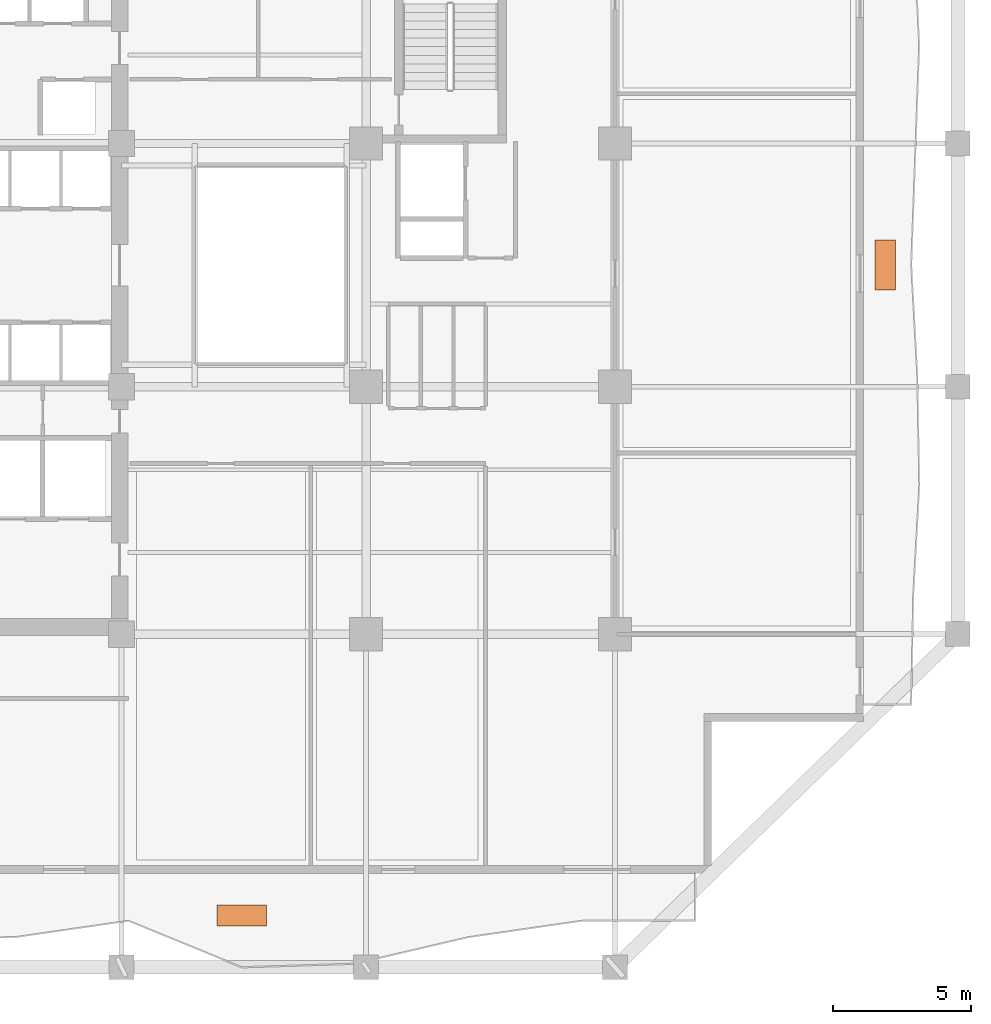
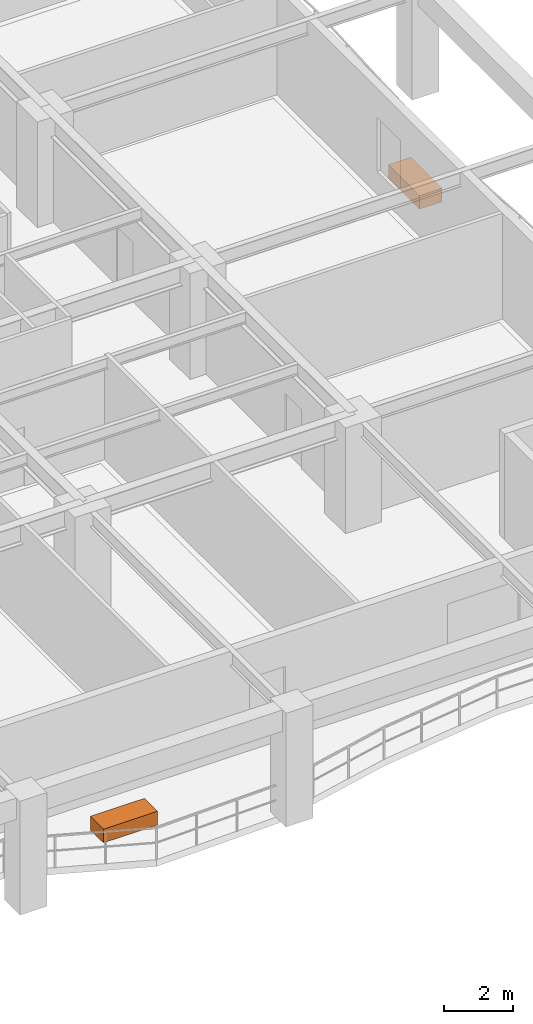
# One storey, part 12 of 12: 2 proxies.
"""IFC4 building model written with IfcOpenShell, lengths in metres."""

import ifcopenshell
import ifcopenshell.guid

model = None  # the IFC model being written
_history = None  # IfcOwnerHistory: only IFC2X3 demands one
_inside = {}  # id of a spatial element -> (the spatial element, [elements in it])
_under = {}  # id of a project, library or spatial element -> (it, [spatial elements below it])
_declared = {}  # id of a project -> (the project, [libraries it declares])
_typed = {}  # id of a type object -> (the type object, [elements of that type])
_made_of = {}  # id of a material, layer set ... -> (it, [elements and type objects made of it])


def new_model(schema):
    """Start an empty IFC model of exactly this schema.

    Asked for "IFC4X3", IfcOpenShell would pick the latest addendum, in which some entities
    have other attributes; the version numbers below select the first issue.
    IFC2X3 requires an IfcOwnerHistory on every rooted entity: one is made here for all.
    """
    global model, _history
    if schema == "IFC4X3":
        model = ifcopenshell.file(schema_version=(4, 3, 0, 0))
    else:
        model = ifcopenshell.file(schema=schema)
    _inside.clear()
    _under.clear()
    _declared.clear()
    _typed.clear()
    _made_of.clear()
    _history = None
    if model.schema == "IFC2X3":
        org = make("IfcOrganization", Name="unknown")
        user = make(
            "IfcPersonAndOrganization",
            ThePerson=make("IfcPerson", FamilyName="unknown"),
            TheOrganization=org,
        )
        app = make(
            "IfcApplication",
            ApplicationDeveloper=org,
            Version="unknown",
            ApplicationFullName="unknown",
            ApplicationIdentifier="unknown",
        )
        _history = make(
            "IfcOwnerHistory",
            OwningUser=user,
            OwningApplication=app,
            ChangeAction="ADDED",
            CreationDate=0,
        )
    return model


def make(cls, **values):
    """One entity of the class cls with the attributes given. An attribute that is None is left unset."""
    return model.create_entity(
        cls, **{name: value for name, value in values.items() if value is not None}
    )


def rooted(cls, **values):
    """An entity with a GlobalId (a new one), such as an element, a storey or a relation."""
    return make(cls, GlobalId=ifcopenshell.guid.new(), OwnerHistory=_history, **values)


def si_unit(unit_type, name, prefix=None):
    """IfcSIUnit, for example si_unit("LENGTHUNIT", "METRE", prefix="MILLI")."""
    return make("IfcSIUnit", UnitType=unit_type, Prefix=prefix, Name=name)


def assignment(units):
    """IfcUnitAssignment: the units of a project."""
    return None if units is None else make("IfcUnitAssignment", Units=units)


def point(xyz):
    """IfcCartesianPoint."""
    return None if xyz is None else make("IfcCartesianPoint", Coordinates=xyz)


def direction(xyz):
    """IfcDirection."""
    return None if xyz is None else make("IfcDirection", DirectionRatios=xyz)


def frame(location, z_axis=None, x_axis=None):
    """IfcAxis2Placement3D, a coordinate frame: its origin and axes. An axis left out is left unset."""
    return make(
        "IfcAxis2Placement3D",
        Location=point(location),
        Axis=direction(z_axis),
        RefDirection=direction(x_axis),
    )


def frame_2d(location, x_axis=None):
    """IfcAxis2Placement2D, a coordinate frame in the plane: its origin and x axis."""
    return make(
        "IfcAxis2Placement2D", Location=point(location), RefDirection=direction(x_axis)
    )


def origin():
    """The frame at (0, 0, 0) with its axes left unset."""
    return frame((0.0, 0.0, 0.0))


def origin_2d():
    """The frame at (0, 0) in the plane with its x axis left unset."""
    return frame_2d((0.0, 0.0))


def place(relative_to, where):
    """IfcLocalPlacement: puts the frame where relative to a parent placement (None: the world)."""
    return make(
        "IfcLocalPlacement", PlacementRelTo=relative_to, RelativePlacement=where
    )


def context(
    kind, dimensions, precision=None, world=None, true_north=None, identifier=None
):
    """IfcGeometricRepresentationContext, for example the 3D "Model" context."""
    return make(
        "IfcGeometricRepresentationContext",
        ContextIdentifier=identifier,
        ContextType=kind,
        CoordinateSpaceDimension=dimensions,
        Precision=precision,
        WorldCoordinateSystem=world,
        TrueNorth=true_north,
    )


def subcontext(parent, identifier, kind, view, scale=None):
    """IfcGeometricRepresentationSubContext, for example "Body" below "Model"."""
    return make(
        "IfcGeometricRepresentationSubContext",
        ContextIdentifier=identifier,
        ContextType=kind,
        ParentContext=parent,
        TargetScale=scale,
        TargetView=view,
    )


def project(units=None, contexts=None):
    """IfcProject with its units and contexts."""
    return rooted(
        "IfcProject",
        Name="project",
        RepresentationContexts=contexts,
        UnitsInContext=assignment(units),
    )


def spatial(cls, under=None, at=None, **own):
    """A site, building, storey or space (cls), placed at a placement, below another one or the project."""
    s = rooted(cls, ObjectPlacement=at, **own)
    if under is not None:
        _under.setdefault(under.id(), (under, []))[1].append(s)
    return s


def profile(cls, at=None, kind="AREA", **sizes):
    """A parametric profile (cls). Its sizes go by their IFC names, for example OverallWidth=200.0."""
    return make(cls, ProfileType=kind, Position=at, **sizes)


def rectangle(**sizes):
    """IfcRectangleProfileDef."""
    return profile("IfcRectangleProfileDef", **sizes)


def extrude(swept, where, along, depth):
    """IfcExtrudedAreaSolid: the profile swept, set in the frame where, extruded along a direction by depth."""
    return make(
        "IfcExtrudedAreaSolid",
        SweptArea=swept,
        Position=where,
        ExtrudedDirection=direction(along),
        Depth=depth,
    )


def shape(context_of_items, identifier, shape_type, items):
    """IfcShapeRepresentation: the items that make up one representation, for example the "Body"."""
    return make(
        "IfcShapeRepresentation",
        ContextOfItems=context_of_items,
        RepresentationIdentifier=identifier,
        RepresentationType=shape_type,
        Items=items,
    )


def material(Name=None, Category=None):
    """IfcMaterial."""
    return make("IfcMaterial", Name=Name, Category=Category)


def made_of(thing, what):
    """Note that an element or type object is made of a material, layer set ...; save() writes the relation."""
    if what is not None:
        _made_of.setdefault(what.id(), (what, []))[1].append(thing)
    return thing


def type_object(cls, material=None, **own):
    """A type object (cls), such as IfcWallType, which elements share."""
    return made_of(rooted(cls, **own), material)


def element(
    cls,
    number,
    at=None,
    inside=None,
    cuts=None,
    type_object=None,
    material=None,
    context=None,
    identifier="Body",
    shape_type=None,
    held_by="IfcProductDefinitionShape",
    body=None,
    shapes=None,
    **own,
):
    """One element of the class cls, such as IfcWall. Its Tag is "e" and its number.

    at: its placement. inside: the storey or other place that contains it. cuts: it is an
    opening in that element (IfcRelVoidsElement). A single representation is given by context,
    identifier, shape_type and body (its items); several are given by shapes. held_by: the class
    of the entity that holds the representations. save() writes the other relations.
    """
    e = rooted(cls, Tag="e%d" % number, ObjectPlacement=at, **own)
    if body is not None:
        shapes = [shape(context, identifier, shape_type, body)]
    if shapes is not None:
        e.Representation = make(held_by, Representations=shapes)
    if inside is not None:
        _inside.setdefault(inside.id(), (inside, []))[1].append(e)
    if cuts is not None:
        rooted(
            "IfcRelVoidsElement", RelatingBuildingElement=cuts, RelatedOpeningElement=e
        )
    if type_object is not None:
        _typed.setdefault(type_object.id(), (type_object, []))[1].append(e)
    return made_of(e, material)


def aggregate(whole, parts):
    """IfcRelAggregates: a whole, such as a stair, and the parts it consists of."""
    return rooted("IfcRelAggregates", RelatingObject=whole, RelatedObjects=parts)


def save(model, path):
    """Write the relations noted so far, then the file.

    IfcRelAggregates (storeys below a building ...), IfcRelContainedInSpatialStructure (elements
    in a storey), IfcRelDefinesByType, IfcRelAssociatesMaterial and IfcRelDeclares: one each for
    every whole, place, type object, material and project.
    """
    for whole, parts in _under.values():
        aggregate(whole, parts)
    for where, things in _inside.values():
        rooted(
            "IfcRelContainedInSpatialStructure",
            RelatedElements=things,
            RelatingStructure=where,
        )
    for kind, things in _typed.values():
        rooted("IfcRelDefinesByType", RelatedObjects=things, RelatingType=kind)
    for what, things in _made_of.values():
        rooted("IfcRelAssociatesMaterial", RelatedObjects=things, RelatingMaterial=what)
    for by, libraries in _declared.values():
        rooted("IfcRelDeclares", RelatingContext=by, RelatedDefinitions=libraries)
    model.write(path)


model = new_model("IFC4")

# Units and contexts
model_context = context("Model", 3, precision=1e-05, world=origin(), true_north=direction((0.0, 1.0)))
body_context = subcontext(model_context, "Body", "Model", "MODEL_VIEW")
ifc_project = project(units=[si_unit("LENGTHUNIT", "METRE"), si_unit("AREAUNIT", "SQUARE_METRE"), si_unit("VOLUMEUNIT", "CUBIC_METRE"), si_unit("PLANEANGLEUNIT", "RADIAN"), si_unit("MASSUNIT", "GRAM", prefix="KILO")], contexts=[model_context])

# Site, building, storey
site_placement = place(None, origin())
site = spatial("IfcSite", under=ifc_project, at=site_placement, CompositionType="ELEMENT")
building_placement = place(site_placement, origin())
building = spatial("IfcBuilding", under=site, at=building_placement, Name="Kundavana Baori Tower", CompositionType="ELEMENT")
storey_placement = place(building_placement, frame((0.0, 0.0, 46.0)))
storey = spatial("IfcBuildingStorey", under=building, at=storey_placement, Name="L10", CompositionType="ELEMENT", Elevation=46.0)

# Proxies
ifc_material = material(Name="Red-Buff Dholpur Sandstone Cladding on Concrete C40/50", Category="masonry")
building_element_proxy_type = type_object("IfcBuildingElementProxyType", Name="PRX-PLANTER-1800", PredefinedType="USERDEFINED", material=ifc_material)
for number, where, z_axis, x_axis, name in (
    (1, (29.300048828125, 5.070068359375, 0.0), (0.0, 0.0, 1.0), (1.0, 0.0, 0.0), "L10 Dholpur Stone Structural Tree Planter S"),
    (2, (52.575927734375, 28.60009765625, 0.0), (0.0, 0.0, 1.0), (0.0, 1.0, 0.0), "L10 Dholpur Stone Structural Tree Planter E"),
):
    element("IfcBuildingElementProxy", number, at=place(storey_placement, frame(where, z_axis=z_axis, x_axis=x_axis)), inside=storey, type_object=building_element_proxy_type, Name=name, ObjectType="PLANTER", PredefinedType="USERDEFINED", context=body_context, shape_type="SweptSolid", body=[
        extrude(rectangle(XDim=1.800048828125, YDim=0.75, at=origin_2d()), origin(), (0.0, 0.0, 1.0), 0.47998046875),
    ])

save(model, "model.ifc")
